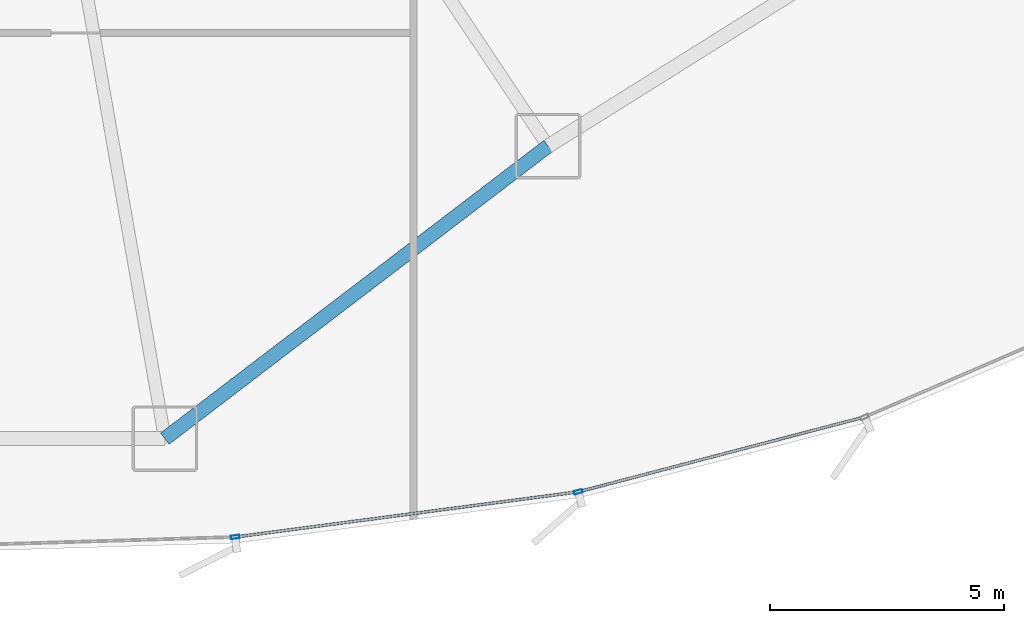
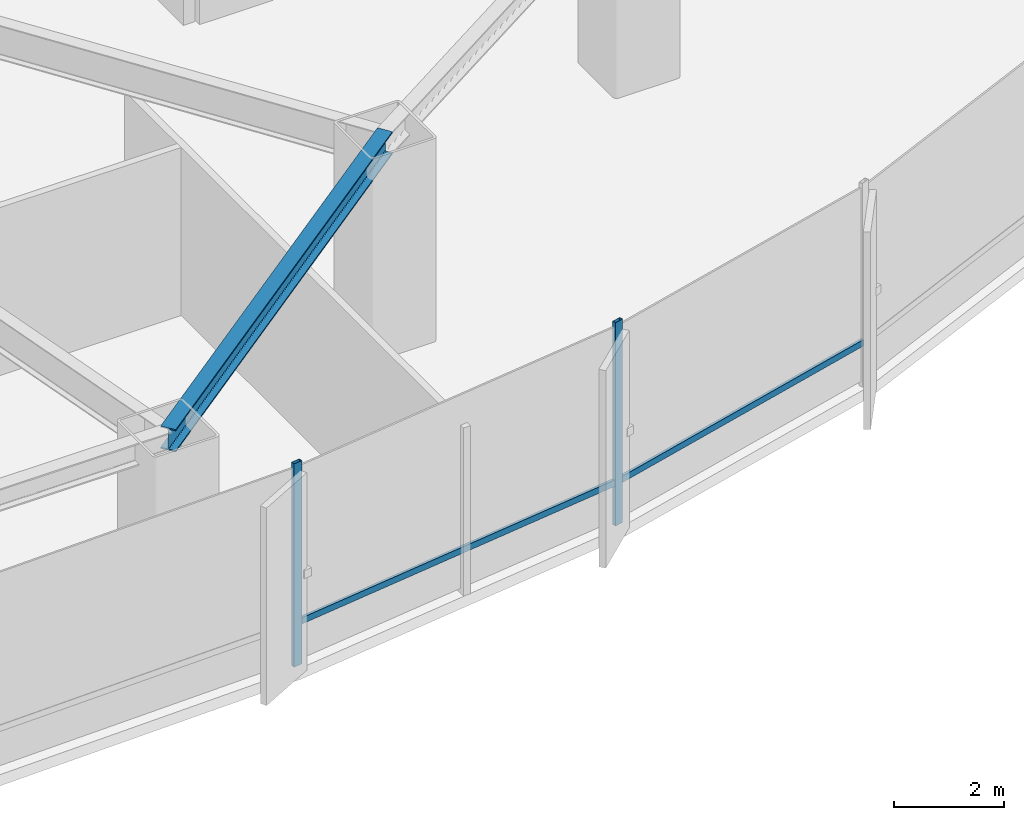
# One storey, part 8 of 33: 4 members, 1 beam, 1 element without a shape of its own.
"""IFC4 building model written with IfcOpenShell, lengths in metres."""

from ifc_helpers import new_model, si_unit, direction, frame, origin, origin_2d, place, context, subcontext, project, spatial, hollow_rectangle, i_section, extrude, source, transform, mapped, material, layer, layer_set, material_profile, profile_set, type_object, element, aggregate, save


model = new_model("IFC4")

# Units and contexts
model_context = context("Model", 3, precision=1e-05, world=origin(), true_north=direction((0.0, 1.0)))
body_context = subcontext(model_context, "Body", "Model", "MODEL_VIEW")
ifc_project = project(units=[si_unit("LENGTHUNIT", "METRE"), si_unit("AREAUNIT", "SQUARE_METRE"), si_unit("VOLUMEUNIT", "CUBIC_METRE"), si_unit("PLANEANGLEUNIT", "RADIAN"), si_unit("MASSUNIT", "GRAM", prefix="KILO"), si_unit("THERMODYNAMICTEMPERATUREUNIT", "KELVIN")], contexts=[model_context])

# Site, building, storey
site_placement = place(None, origin())
site = spatial("IfcSite", under=ifc_project, at=site_placement, CompositionType="ELEMENT")
building_placement = place(site_placement, origin())
building = spatial("IfcBuilding", under=site, at=building_placement, Name="Kethvar Cultural Tower", CompositionType="ELEMENT")
storey_placement = place(building_placement, frame((0.0, 0.0, 10.0)))
storey = spatial("IfcBuildingStorey", under=building, at=storey_placement, Name="L02", CompositionType="ELEMENT", Elevation=10.0)

# Beam
ifc_material_1 = material(Name="Steel S355J2", Category="steel")
ifc_material_profile_1 = material_profile(ifc_material_1, i_section(OverallWidth=0.300048828125, OverallDepth=0.5, WebThickness=0.014404296875, FlangeThickness=0.028076171875, FilletRadius=0.027099609375, at=origin_2d()), Name="Steel S355J2 — HEB500")
ifc_profile_set_1 = profile_set([ifc_material_profile_1], Name="Steel S355J2 — HEB500")
beam_type = type_object("IfcBeamType", Name="BM-SP500", PredefinedType="SPANDREL", material=ifc_profile_set_1)
shared_shape_1 = source(origin(), body_context, "Body", "SweptSolid", [
    extrude(i_section(OverallWidth=0.300048828125, OverallDepth=0.5, WebThickness=0.014404296875, FlangeThickness=0.028076171875, FilletRadius=0.027099609375, at=origin_2d()), origin(), (0.0, 0.0, 1.0), 10.279052734375),
])
beam_placement = place(storey_placement, frame((51.199951171875, 2.75, 4.278076171875), z_axis=(0.794869246576, 0.606780751876, 0.0), x_axis=(-0.606780751876, 0.794869246576, 0.0)))
element("IfcBeam", 1, at=beam_placement, inside=storey, type_object=beam_type, Name="L02 Podium Ring Beam 13", PredefinedType="SPANDREL", context=body_context, shape_type="MappedRepresentation", body=[
    mapped(shared_shape_1, transform((0.0, 0.0, 0.0), scale=1.0)),
])

# Curtain wall, members
ifc_material_2 = material(Name="Aluminium 6063-T6", Category="aluminium")
ifc_layer = layer(ifc_material_2, 0.179931640625, Name="Aluminium 6063-T6", Category="aluminium")
ifc_layer_set = layer_set([ifc_layer], Name="Aluminium 6063-T6 (180 mm)")
curtain_wall_type = type_object("IfcCurtainWallType", Name="CW-SYS-01-POD", PredefinedType="NOTDEFINED", material=ifc_layer_set)
curtain_wall_placement = place(storey_placement, origin())
curtain_wall = element("IfcCurtainWall", 2, at=curtain_wall_placement, inside=storey, type_object=curtain_wall_type, Name="L02 Curtain Wall Run 05", PredefinedType="NOTDEFINED")
ifc_material_profile_2 = material_profile(ifc_material_2, hollow_rectangle(XDim=0.06005859375, YDim=0.139892578125, WallThickness=0.0048828125, at=origin_2d()), Name="Aluminium 6063-T6 — RHS140x60x5")
ifc_profile_set_2 = profile_set([ifc_material_profile_2], Name="Aluminium 6063-T6 — RHS140x60x5")
member_type_1 = type_object("IfcMemberType", Name="CW-SYS-01-POD-TRN", PredefinedType="USERDEFINED", material=ifc_profile_set_2)
shared_shape_2 = source(origin(), body_context, "Body", "SweptSolid", [
    extrude(hollow_rectangle(XDim=0.06005859375, YDim=0.139892578125, WallThickness=0.0048828125, at=origin_2d()), origin(), (0.0, 0.0, 1.0), 7.28955078125),
])
member_1_placement = place(storey_placement, frame((52.75244140625, 0.658935546875, 0.949951171875), z_axis=(0.991428284846, 0.130652041726, 0.0), x_axis=(-0.130652041726, 0.991428284846, 0.0)))
member_1 = element("IfcMember", 3, at=member_1_placement, type_object=member_type_1, Name="CW-L02-R05 Transom 3", ObjectType="TRANSOM", PredefinedType="USERDEFINED", context=body_context, shape_type="MappedRepresentation", body=[
    mapped(shared_shape_2, transform((0.0, 0.0, 0.0), scale=1.0)),
])
shared_shape_3 = source(origin(), body_context, "Body", "SweptSolid", [
    extrude(hollow_rectangle(XDim=0.06005859375, YDim=0.139892578125, WallThickness=0.0048828125, at=origin_2d()), origin(), (0.0, 0.0, 1.0), 6.221435546875),
])
member_2_placement = place(storey_placement, frame((60.069091796875, 1.62890625, 0.949951171875), z_axis=(0.967458727109, 0.253028874519, 0.0), x_axis=(-0.253028874519, 0.967458727109, 0.0)))
member_2 = element("IfcMember", 4, at=member_2_placement, type_object=member_type_1, Name="CW-L02-R05 Transom 4", ObjectType="TRANSOM", PredefinedType="USERDEFINED", context=body_context, shape_type="MappedRepresentation", body=[
    mapped(shared_shape_3, transform((0.0, 0.0, 0.0), scale=1.0)),
])
ifc_material_profile_3 = material_profile(ifc_material_2, hollow_rectangle(XDim=0.074951171875, YDim=0.179931640625, WallThickness=0.006103515625, at=origin_2d()), Name="Aluminium 6063-T6 — RHS180x75x6")
ifc_profile_set_3 = profile_set([ifc_material_profile_3], Name="Aluminium 6063-T6 — RHS180x75x6")
member_type_2 = type_object("IfcMemberType", Name="CW-SYS-01-POD-MUL", PredefinedType="MULLION", material=ifc_profile_set_3)
shared_shape_4 = source(origin(), body_context, "Body", "SweptSolid", [
    extrude(hollow_rectangle(XDim=0.074951171875, YDim=0.179931640625, WallThickness=0.006103515625, at=origin_2d()), origin(), (0.0, 0.0, 1.0), 4.530029296875),
])
member_3_placement = place(storey_placement, frame((52.698974609375, 0.652099609375, 0.0), z_axis=(0.0, 0.0, 1.0), x_axis=(-0.130647319086, 0.991428907192, 0.0)))
member_3 = element("IfcMember", 5, at=member_3_placement, type_object=member_type_2, Name="CW-L02-R05 Mullion 3", PredefinedType="MULLION", context=body_context, shape_type="MappedRepresentation", body=[
    mapped(shared_shape_4, transform((0.0, 0.0, 0.0), scale=1.0)),
])
member_4_placement = place(storey_placement, frame((60.01708984375, 1.615234375, 0.0), z_axis=(0.0, 0.0, 1.0), x_axis=(-0.253031946887, 0.967457923558, 0.0)))
member_4 = element("IfcMember", 6, at=member_4_placement, type_object=member_type_2, Name="CW-L02-R05 Mullion 4", PredefinedType="MULLION", context=body_context, shape_type="MappedRepresentation", body=[
    mapped(shared_shape_4, transform((0.0, 0.0, 0.0), scale=1.0)),
])
aggregate(curtain_wall, [member_3, member_4, member_1, member_2])

save(model, "model.ifc")
